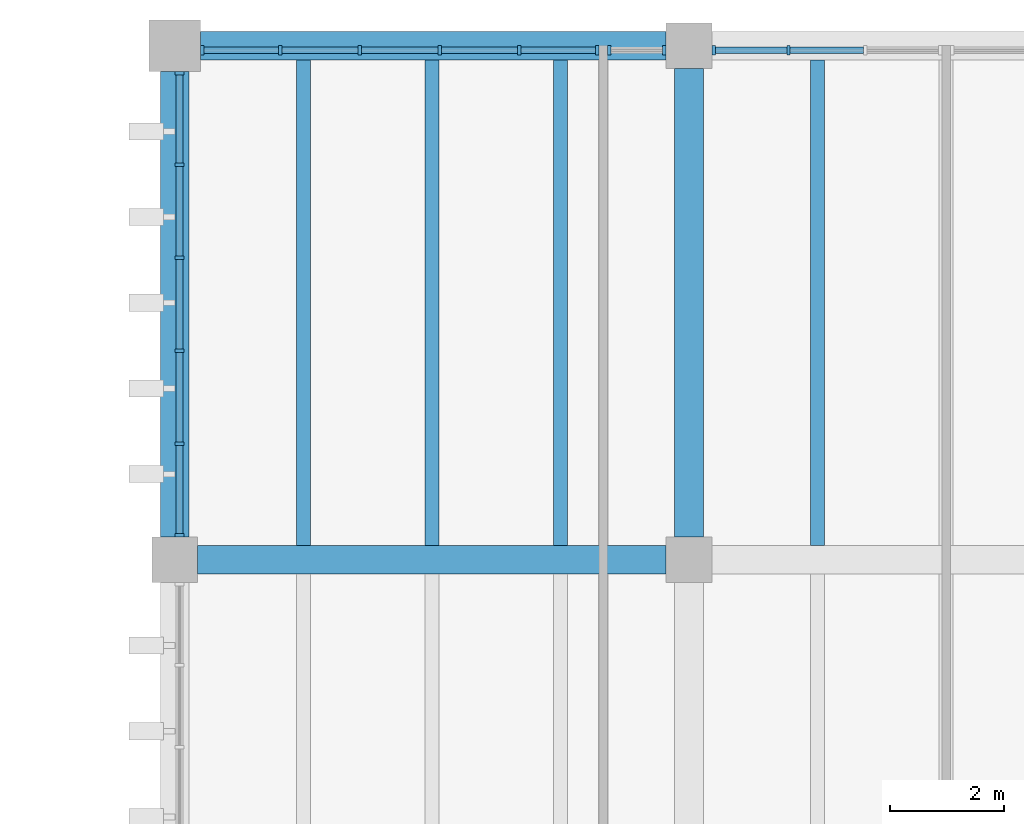
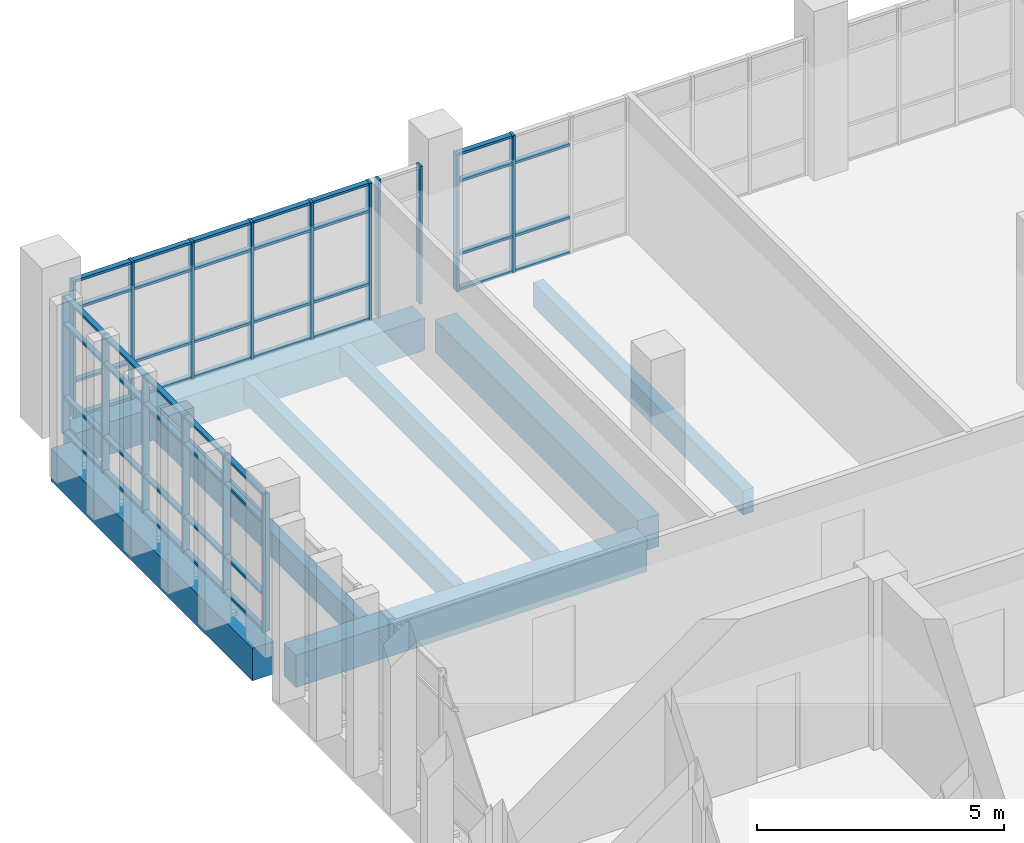
# One storey, part 9 of 29: 63 members, 8 beams, 4 elements without a shape of their own.
"""IFC4 building model written with IfcOpenShell, lengths in metres."""

from ifc_helpers import new_model, si_unit, direction, frame, origin, origin_2d, place, context, subcontext, project, spatial, rectangle, extrude, material, material_profile, profile_set, type_object, element, aggregate, save


model = new_model("IFC4")

# Units and contexts
model_context = context("Model", 3, precision=1e-05, world=origin(), true_north=direction((0.0, 1.0)))
body_context = subcontext(model_context, "Body", "Model", "MODEL_VIEW")
ifc_project = project(units=[si_unit("LENGTHUNIT", "METRE"), si_unit("AREAUNIT", "SQUARE_METRE"), si_unit("VOLUMEUNIT", "CUBIC_METRE"), si_unit("PLANEANGLEUNIT", "RADIAN"), si_unit("MASSUNIT", "GRAM", prefix="KILO")], contexts=[model_context])

# Site, building, storey
site_placement = place(None, origin())
site = spatial("IfcSite", under=ifc_project, at=site_placement, CompositionType="ELEMENT")
building_placement = place(site_placement, origin())
building = spatial("IfcBuilding", under=site, at=building_placement, Name="Merrow Basin Faculty of Sciences", CompositionType="ELEMENT")
storey_placement = place(building_placement, frame((0.0, 0.0, 22.5)))
storey = spatial("IfcBuildingStorey", under=building, at=storey_placement, Name="L05", CompositionType="ELEMENT", Elevation=22.5)

# Curtain wall, members
ifc_material_1 = material(Name="Aluminium alloy 6063", Category="aluminium")
curtain_wall_type = type_object("IfcCurtainWallType", Name="Unitised curtain wall 160", PredefinedType="NOTDEFINED", material=ifc_material_1)
curtain_wall_1_placement = place(storey_placement, origin())
curtain_wall_1 = element("IfcCurtainWall", 1, at=curtain_wall_1_placement, inside=storey, type_object=curtain_wall_type, Name="W curtain wall L05 3", PredefinedType="NOTDEFINED")
ifc_material_2 = material(Name="Aluminium alloy 6063", Category="aluminium")
ifc_material_profile_1 = material_profile(ifc_material_2, rectangle(XDim=0.159912109375, YDim=0.06005859375, at=origin_2d()))
ifc_profile_set_1 = profile_set([ifc_material_profile_1], Name="Aluminium alloy 6063")
member_type_1 = type_object("IfcMemberType", Name="Aluminium mullion 60x160", PredefinedType="MULLION", material=ifc_profile_set_1)
member_1_placement = place(storey_placement, frame((18.080078125, 160.429931640625, 0.0), z_axis=(0.0, 0.0, 1.0), x_axis=(-1.0, 0.0, 0.0)))
member_1 = element("IfcMember", 2, at=member_1_placement, type_object=member_type_1, Name="CW3 mullion 1", PredefinedType="MULLION", context=body_context, shape_type="SweptSolid", body=[
    extrude(rectangle(XDim=0.159912109375, YDim=0.06005859375, at=origin_2d()), origin(), (0.0, 0.0, 1.0), 3.39990234375),
])
member_2_placement = place(storey_placement, frame((18.080078125, 162.030029296875, 0.0), z_axis=(0.0, 0.0, 1.0), x_axis=(-1.0, 0.0, 0.0)))
member_2 = element("IfcMember", 3, at=member_2_placement, type_object=member_type_1, Name="CW3 mullion 2", PredefinedType="MULLION", context=body_context, shape_type="SweptSolid", body=[
    extrude(rectangle(XDim=0.159912109375, YDim=0.06005859375, at=origin_2d()), origin(), (0.0, 0.0, 1.0), 3.39990234375),
])
member_3_placement = place(storey_placement, frame((18.080078125, 163.659912109375, 0.0), z_axis=(0.0, 0.0, 1.0), x_axis=(-1.0, 0.0, 0.0)))
member_3 = element("IfcMember", 4, at=member_3_placement, type_object=member_type_1, Name="CW3 mullion 3", PredefinedType="MULLION", context=body_context, shape_type="SweptSolid", body=[
    extrude(rectangle(XDim=0.159912109375, YDim=0.06005859375, at=origin_2d()), origin(), (0.0, 0.0, 1.0), 3.39990234375),
])
member_4_placement = place(storey_placement, frame((18.080078125, 165.2900390625, 0.0), z_axis=(0.0, 0.0, 1.0), x_axis=(-1.0, 0.0, 0.0)))
member_4 = element("IfcMember", 5, at=member_4_placement, type_object=member_type_1, Name="CW3 mullion 4", PredefinedType="MULLION", context=body_context, shape_type="SweptSolid", body=[
    extrude(rectangle(XDim=0.159912109375, YDim=0.06005859375, at=origin_2d()), origin(), (0.0, 0.0, 1.0), 3.39990234375),
])
member_5_placement = place(storey_placement, frame((18.080078125, 166.919921875, 0.0), z_axis=(0.0, 0.0, 1.0), x_axis=(-1.0, 0.0, 0.0)))
member_5 = element("IfcMember", 6, at=member_5_placement, type_object=member_type_1, Name="CW3 mullion 5", PredefinedType="MULLION", context=body_context, shape_type="SweptSolid", body=[
    extrude(rectangle(XDim=0.159912109375, YDim=0.06005859375, at=origin_2d()), origin(), (0.0, 0.0, 1.0), 3.39990234375),
])
member_6_placement = place(storey_placement, frame((18.080078125, 168.52001953125, 0.0), z_axis=(0.0, 0.0, 1.0), x_axis=(-1.0, 0.0, 0.0)))
member_6 = element("IfcMember", 7, at=member_6_placement, type_object=member_type_1, Name="CW3 mullion 6", PredefinedType="MULLION", context=body_context, shape_type="SweptSolid", body=[
    extrude(rectangle(XDim=0.159912109375, YDim=0.06005859375, at=origin_2d()), origin(), (0.0, 0.0, 1.0), 3.39990234375),
])

curtain_wall_2_placement = place(storey_placement, origin())
curtain_wall_2 = element("IfcCurtainWall", 8, at=curtain_wall_2_placement, inside=storey, type_object=curtain_wall_type, Name="N curtain wall L05 1", PredefinedType="NOTDEFINED")
member_7_placement = place(storey_placement, frame((18.47998046875, 168.919921875, 0.0), z_axis=(0.0, 0.0, 1.0), x_axis=(0.0, 1.0, 0.0)))
member_7 = element("IfcMember", 9, at=member_7_placement, type_object=member_type_1, Name="CW3 mullion 1", PredefinedType="MULLION", context=body_context, shape_type="SweptSolid", body=[
    extrude(rectangle(XDim=0.159912109375, YDim=0.06005859375, at=origin_2d()), origin(), (0.0, 0.0, 1.0), 3.39990234375),
])
member_8_placement = place(storey_placement, frame((19.844970703125, 168.919921875, 0.0), z_axis=(0.0, 0.0, 1.0), x_axis=(0.0, 1.0, 0.0)))
member_8 = element("IfcMember", 10, at=member_8_placement, type_object=member_type_1, Name="CW3 mullion 2", PredefinedType="MULLION", context=body_context, shape_type="SweptSolid", body=[
    extrude(rectangle(XDim=0.159912109375, YDim=0.06005859375, at=origin_2d()), origin(), (0.0, 0.0, 1.0), 3.39990234375),
])
member_9_placement = place(storey_placement, frame((21.239990234375, 168.919921875, 0.0), z_axis=(0.0, 0.0, 1.0), x_axis=(0.0, 1.0, 0.0)))
member_9 = element("IfcMember", 11, at=member_9_placement, type_object=member_type_1, Name="CW3 mullion 3", PredefinedType="MULLION", context=body_context, shape_type="SweptSolid", body=[
    extrude(rectangle(XDim=0.159912109375, YDim=0.06005859375, at=origin_2d()), origin(), (0.0, 0.0, 1.0), 3.39990234375),
])
member_10_placement = place(storey_placement, frame((22.635009765625, 168.919921875, 0.0), z_axis=(0.0, 0.0, 1.0), x_axis=(0.0, 1.0, 0.0)))
member_10 = element("IfcMember", 12, at=member_10_placement, type_object=member_type_1, Name="CW3 mullion 4", PredefinedType="MULLION", context=body_context, shape_type="SweptSolid", body=[
    extrude(rectangle(XDim=0.159912109375, YDim=0.06005859375, at=origin_2d()), origin(), (0.0, 0.0, 1.0), 3.39990234375),
])
member_11_placement = place(storey_placement, frame((24.030029296875, 168.919921875, 0.0), z_axis=(0.0, 0.0, 1.0), x_axis=(0.0, 1.0, 0.0)))
member_11 = element("IfcMember", 13, at=member_11_placement, type_object=member_type_1, Name="CW3 mullion 5", PredefinedType="MULLION", context=body_context, shape_type="SweptSolid", body=[
    extrude(rectangle(XDim=0.159912109375, YDim=0.06005859375, at=origin_2d()), origin(), (0.0, 0.0, 1.0), 3.39990234375),
])
member_12_placement = place(storey_placement, frame((25.39501953125, 168.919921875, 0.0), z_axis=(0.0, 0.0, 1.0), x_axis=(0.0, 1.0, 0.0)))
member_12 = element("IfcMember", 14, at=member_12_placement, type_object=member_type_1, Name="CW3 mullion 6", PredefinedType="MULLION", context=body_context, shape_type="SweptSolid", body=[
    extrude(rectangle(XDim=0.159912109375, YDim=0.06005859375, at=origin_2d()), origin(), (0.0, 0.0, 1.0), 3.39990234375),
])

curtain_wall_3_placement = place(storey_placement, origin())
curtain_wall_3 = element("IfcCurtainWall", 15, at=curtain_wall_3_placement, inside=storey, type_object=curtain_wall_type, Name="N curtain wall L05 2", PredefinedType="NOTDEFINED")
member_13_placement = place(storey_placement, frame((25.60498046875, 168.919921875, 0.0), z_axis=(0.0, 0.0, 1.0), x_axis=(0.0, 1.0, 0.0)))
member_13 = element("IfcMember", 16, at=member_13_placement, type_object=member_type_1, Name="CW3 mullion 1", PredefinedType="MULLION", context=body_context, shape_type="SweptSolid", body=[
    extrude(rectangle(XDim=0.159912109375, YDim=0.06005859375, at=origin_2d()), origin(), (0.0, 0.0, 1.0), 3.39990234375),
])
member_14_placement = place(storey_placement, frame((26.570068359375, 168.919921875, 0.0), z_axis=(0.0, 0.0, 1.0), x_axis=(0.0, 1.0, 0.0)))
member_14 = element("IfcMember", 17, at=member_14_placement, type_object=member_type_1, Name="CW3 mullion 2", PredefinedType="MULLION", context=body_context, shape_type="SweptSolid", body=[
    extrude(rectangle(XDim=0.159912109375, YDim=0.06005859375, at=origin_2d()), origin(), (0.0, 0.0, 1.0), 3.39990234375),
])
aggregate(curtain_wall_3, [member_13, member_14])

curtain_wall_4_placement = place(storey_placement, origin())
curtain_wall_4 = element("IfcCurtainWall", 18, at=curtain_wall_4_placement, inside=storey, type_object=curtain_wall_type, Name="N curtain wall L05 3", PredefinedType="NOTDEFINED")
member_15_placement = place(storey_placement, frame((27.429931640625, 168.919921875, 0.0), z_axis=(0.0, 0.0, 1.0), x_axis=(0.0, 1.0, 0.0)))
member_15 = element("IfcMember", 19, at=member_15_placement, type_object=member_type_1, Name="CW3 mullion 1", PredefinedType="MULLION", context=body_context, shape_type="SweptSolid", body=[
    extrude(rectangle(XDim=0.159912109375, YDim=0.06005859375, at=origin_2d()), origin(), (0.0, 0.0, 1.0), 3.39990234375),
])
member_16_placement = place(storey_placement, frame((28.74169921875, 168.919921875, 0.0), z_axis=(0.0, 0.0, 1.0), x_axis=(0.0, 1.0, 0.0)))
member_16 = element("IfcMember", 20, at=member_16_placement, type_object=member_type_1, Name="CW3 mullion 2", PredefinedType="MULLION", context=body_context, shape_type="SweptSolid", body=[
    extrude(rectangle(XDim=0.159912109375, YDim=0.06005859375, at=origin_2d()), origin(), (0.0, 0.0, 1.0), 3.39990234375),
])

# Member
ifc_material_3 = material(Name="Aluminium alloy 6063", Category="aluminium")
ifc_material_profile_2 = material_profile(ifc_material_3, rectangle(XDim=0.1201171875, YDim=0.06005859375, at=origin_2d()))
ifc_profile_set_2 = profile_set([ifc_material_profile_2], Name="Aluminium alloy 6063")
member_type_2 = type_object("IfcMemberType", Name="Aluminium transom 60x120", PredefinedType="USERDEFINED", material=ifc_profile_set_2)
member_17_placement = place(storey_placement, frame((18.080078125, 160.4599609375, 0.030029296875), z_axis=(0.0, 1.0, 0.0), x_axis=(-1.0, 0.0, 0.0)))
member_17 = element("IfcMember", 21, at=member_17_placement, type_object=member_type_2, Name="CW3 transom 1.1", ObjectType="TRANSOM", PredefinedType="USERDEFINED", context=body_context, shape_type="SweptSolid", body=[
    extrude(rectangle(XDim=0.1201171875, YDim=0.06005859375, at=origin_2d()), origin(), (0.0, 0.0, 1.0), 1.5400390625),
])

member_18_placement = place(storey_placement, frame((18.080078125, 160.4599609375, 0.89990234375), z_axis=(0.0, 1.0, 0.0), x_axis=(-1.0, 0.0, 0.0)))
member_18 = element("IfcMember", 22, at=member_18_placement, type_object=member_type_2, Name="CW3 transom 1.2", ObjectType="TRANSOM", PredefinedType="USERDEFINED", context=body_context, shape_type="SweptSolid", body=[
    extrude(rectangle(XDim=0.1201171875, YDim=0.06005859375, at=origin_2d()), origin(), (0.0, 0.0, 1.0), 1.5400390625),
])

member_19_placement = place(storey_placement, frame((18.080078125, 160.4599609375, 2.699951171875), z_axis=(0.0, 1.0, 0.0), x_axis=(-1.0, 0.0, 0.0)))
member_19 = element("IfcMember", 23, at=member_19_placement, type_object=member_type_2, Name="CW3 transom 1.3", ObjectType="TRANSOM", PredefinedType="USERDEFINED", context=body_context, shape_type="SweptSolid", body=[
    extrude(rectangle(XDim=0.1201171875, YDim=0.06005859375, at=origin_2d()), origin(), (0.0, 0.0, 1.0), 1.5400390625),
])

member_20_placement = place(storey_placement, frame((18.080078125, 160.4599609375, 3.3701171875), z_axis=(0.0, 1.0, 0.0), x_axis=(-1.0, 0.0, 0.0)))
member_20 = element("IfcMember", 24, at=member_20_placement, type_object=member_type_2, Name="CW3 transom 1.4", ObjectType="TRANSOM", PredefinedType="USERDEFINED", context=body_context, shape_type="SweptSolid", body=[
    extrude(rectangle(XDim=0.1201171875, YDim=0.06005859375, at=origin_2d()), origin(), (0.0, 0.0, 1.0), 1.5400390625),
])

member_21_placement = place(storey_placement, frame((18.080078125, 162.06005859375, 0.030029296875), z_axis=(0.0, 1.0, 0.0), x_axis=(-1.0, 0.0, 0.0)))
member_21 = element("IfcMember", 25, at=member_21_placement, type_object=member_type_2, Name="CW3 transom 2.1", ObjectType="TRANSOM", PredefinedType="USERDEFINED", context=body_context, shape_type="SweptSolid", body=[
    extrude(rectangle(XDim=0.1201171875, YDim=0.06005859375, at=origin_2d()), origin(), (0.0, 0.0, 1.0), 1.56982421875),
])

member_22_placement = place(storey_placement, frame((18.080078125, 162.06005859375, 0.89990234375), z_axis=(0.0, 1.0, 0.0), x_axis=(-1.0, 0.0, 0.0)))
member_22 = element("IfcMember", 26, at=member_22_placement, type_object=member_type_2, Name="CW3 transom 2.2", ObjectType="TRANSOM", PredefinedType="USERDEFINED", context=body_context, shape_type="SweptSolid", body=[
    extrude(rectangle(XDim=0.1201171875, YDim=0.06005859375, at=origin_2d()), origin(), (0.0, 0.0, 1.0), 1.56982421875),
])

member_23_placement = place(storey_placement, frame((18.080078125, 162.06005859375, 2.699951171875), z_axis=(0.0, 1.0, 0.0), x_axis=(-1.0, 0.0, 0.0)))
member_23 = element("IfcMember", 27, at=member_23_placement, type_object=member_type_2, Name="CW3 transom 2.3", ObjectType="TRANSOM", PredefinedType="USERDEFINED", context=body_context, shape_type="SweptSolid", body=[
    extrude(rectangle(XDim=0.1201171875, YDim=0.06005859375, at=origin_2d()), origin(), (0.0, 0.0, 1.0), 1.56982421875),
])

member_24_placement = place(storey_placement, frame((18.080078125, 162.06005859375, 3.3701171875), z_axis=(0.0, 1.0, 0.0), x_axis=(-1.0, 0.0, 0.0)))
member_24 = element("IfcMember", 28, at=member_24_placement, type_object=member_type_2, Name="CW3 transom 2.4", ObjectType="TRANSOM", PredefinedType="USERDEFINED", context=body_context, shape_type="SweptSolid", body=[
    extrude(rectangle(XDim=0.1201171875, YDim=0.06005859375, at=origin_2d()), origin(), (0.0, 0.0, 1.0), 1.56982421875),
])

member_25_placement = place(storey_placement, frame((18.080078125, 163.68994140625, 0.030029296875), z_axis=(0.0, 1.0, 0.0), x_axis=(-1.0, 0.0, 0.0)))
member_25 = element("IfcMember", 29, at=member_25_placement, type_object=member_type_2, Name="CW3 transom 3.1", ObjectType="TRANSOM", PredefinedType="USERDEFINED", context=body_context, shape_type="SweptSolid", body=[
    extrude(rectangle(XDim=0.1201171875, YDim=0.06005859375, at=origin_2d()), origin(), (0.0, 0.0, 1.0), 1.570068359375),
])

member_26_placement = place(storey_placement, frame((18.080078125, 163.68994140625, 0.89990234375), z_axis=(0.0, 1.0, 0.0), x_axis=(-1.0, 0.0, 0.0)))
member_26 = element("IfcMember", 30, at=member_26_placement, type_object=member_type_2, Name="CW3 transom 3.2", ObjectType="TRANSOM", PredefinedType="USERDEFINED", context=body_context, shape_type="SweptSolid", body=[
    extrude(rectangle(XDim=0.1201171875, YDim=0.06005859375, at=origin_2d()), origin(), (0.0, 0.0, 1.0), 1.570068359375),
])

member_27_placement = place(storey_placement, frame((18.080078125, 163.68994140625, 2.699951171875), z_axis=(0.0, 1.0, 0.0), x_axis=(-1.0, 0.0, 0.0)))
member_27 = element("IfcMember", 31, at=member_27_placement, type_object=member_type_2, Name="CW3 transom 3.3", ObjectType="TRANSOM", PredefinedType="USERDEFINED", context=body_context, shape_type="SweptSolid", body=[
    extrude(rectangle(XDim=0.1201171875, YDim=0.06005859375, at=origin_2d()), origin(), (0.0, 0.0, 1.0), 1.570068359375),
])

member_28_placement = place(storey_placement, frame((18.080078125, 163.68994140625, 3.3701171875), z_axis=(0.0, 1.0, 0.0), x_axis=(-1.0, 0.0, 0.0)))
member_28 = element("IfcMember", 32, at=member_28_placement, type_object=member_type_2, Name="CW3 transom 3.4", ObjectType="TRANSOM", PredefinedType="USERDEFINED", context=body_context, shape_type="SweptSolid", body=[
    extrude(rectangle(XDim=0.1201171875, YDim=0.06005859375, at=origin_2d()), origin(), (0.0, 0.0, 1.0), 1.570068359375),
])

member_29_placement = place(storey_placement, frame((18.080078125, 165.320068359375, 0.030029296875), z_axis=(0.0, 1.0, 0.0), x_axis=(-1.0, 0.0, 0.0)))
member_29 = element("IfcMember", 33, at=member_29_placement, type_object=member_type_2, Name="CW3 transom 4.1", ObjectType="TRANSOM", PredefinedType="USERDEFINED", context=body_context, shape_type="SweptSolid", body=[
    extrude(rectangle(XDim=0.1201171875, YDim=0.06005859375, at=origin_2d()), origin(), (0.0, 0.0, 1.0), 1.56982421875),
])

member_30_placement = place(storey_placement, frame((18.080078125, 165.320068359375, 0.89990234375), z_axis=(0.0, 1.0, 0.0), x_axis=(-1.0, 0.0, 0.0)))
member_30 = element("IfcMember", 34, at=member_30_placement, type_object=member_type_2, Name="CW3 transom 4.2", ObjectType="TRANSOM", PredefinedType="USERDEFINED", context=body_context, shape_type="SweptSolid", body=[
    extrude(rectangle(XDim=0.1201171875, YDim=0.06005859375, at=origin_2d()), origin(), (0.0, 0.0, 1.0), 1.56982421875),
])

member_31_placement = place(storey_placement, frame((18.080078125, 165.320068359375, 2.699951171875), z_axis=(0.0, 1.0, 0.0), x_axis=(-1.0, 0.0, 0.0)))
member_31 = element("IfcMember", 35, at=member_31_placement, type_object=member_type_2, Name="CW3 transom 4.3", ObjectType="TRANSOM", PredefinedType="USERDEFINED", context=body_context, shape_type="SweptSolid", body=[
    extrude(rectangle(XDim=0.1201171875, YDim=0.06005859375, at=origin_2d()), origin(), (0.0, 0.0, 1.0), 1.56982421875),
])

member_32_placement = place(storey_placement, frame((18.080078125, 165.320068359375, 3.3701171875), z_axis=(0.0, 1.0, 0.0), x_axis=(-1.0, 0.0, 0.0)))
member_32 = element("IfcMember", 36, at=member_32_placement, type_object=member_type_2, Name="CW3 transom 4.4", ObjectType="TRANSOM", PredefinedType="USERDEFINED", context=body_context, shape_type="SweptSolid", body=[
    extrude(rectangle(XDim=0.1201171875, YDim=0.06005859375, at=origin_2d()), origin(), (0.0, 0.0, 1.0), 1.56982421875),
])

member_33_placement = place(storey_placement, frame((18.080078125, 166.949951171875, 0.030029296875), z_axis=(0.0, 1.0, 0.0), x_axis=(-1.0, 0.0, 0.0)))
member_33 = element("IfcMember", 37, at=member_33_placement, type_object=member_type_2, Name="CW3 transom 5.1", ObjectType="TRANSOM", PredefinedType="USERDEFINED", context=body_context, shape_type="SweptSolid", body=[
    extrude(rectangle(XDim=0.1201171875, YDim=0.06005859375, at=origin_2d()), origin(), (0.0, 0.0, 1.0), 1.5400390625),
])

member_34_placement = place(storey_placement, frame((18.080078125, 166.949951171875, 0.89990234375), z_axis=(0.0, 1.0, 0.0), x_axis=(-1.0, 0.0, 0.0)))
member_34 = element("IfcMember", 38, at=member_34_placement, type_object=member_type_2, Name="CW3 transom 5.2", ObjectType="TRANSOM", PredefinedType="USERDEFINED", context=body_context, shape_type="SweptSolid", body=[
    extrude(rectangle(XDim=0.1201171875, YDim=0.06005859375, at=origin_2d()), origin(), (0.0, 0.0, 1.0), 1.5400390625),
])

member_35_placement = place(storey_placement, frame((18.080078125, 166.949951171875, 2.699951171875), z_axis=(0.0, 1.0, 0.0), x_axis=(-1.0, 0.0, 0.0)))
member_35 = element("IfcMember", 39, at=member_35_placement, type_object=member_type_2, Name="CW3 transom 5.3", ObjectType="TRANSOM", PredefinedType="USERDEFINED", context=body_context, shape_type="SweptSolid", body=[
    extrude(rectangle(XDim=0.1201171875, YDim=0.06005859375, at=origin_2d()), origin(), (0.0, 0.0, 1.0), 1.5400390625),
])

member_36_placement = place(storey_placement, frame((18.080078125, 166.949951171875, 3.3701171875), z_axis=(0.0, 1.0, 0.0), x_axis=(-1.0, 0.0, 0.0)))
member_36 = element("IfcMember", 40, at=member_36_placement, type_object=member_type_2, Name="CW3 transom 5.4", ObjectType="TRANSOM", PredefinedType="USERDEFINED", context=body_context, shape_type="SweptSolid", body=[
    extrude(rectangle(XDim=0.1201171875, YDim=0.06005859375, at=origin_2d()), origin(), (0.0, 0.0, 1.0), 1.5400390625),
])

aggregate(curtain_wall_1, [member_1, member_2, member_3, member_4, member_5, member_6, member_17, member_18, member_19, member_20, member_21, member_22, member_23, member_24, member_25, member_26, member_27, member_28, member_29, member_30, member_31, member_32, member_33, member_34, member_35, member_36])

member_37_placement = place(storey_placement, frame((18.510009765625, 168.919921875, 0.030029296875), z_axis=(1.0, 0.0, 0.0), x_axis=(0.0, 1.0, 0.0)))
member_37 = element("IfcMember", 41, at=member_37_placement, type_object=member_type_2, Name="CW3 transom 1.1", ObjectType="TRANSOM", PredefinedType="USERDEFINED", context=body_context, shape_type="SweptSolid", body=[
    extrude(rectangle(XDim=0.1201171875, YDim=0.06005859375, at=origin_2d()), origin(), (0.0, 0.0, 1.0), 1.304931640625),
])

member_38_placement = place(storey_placement, frame((18.510009765625, 168.919921875, 0.89990234375), z_axis=(1.0, 0.0, 0.0), x_axis=(0.0, 1.0, 0.0)))
member_38 = element("IfcMember", 42, at=member_38_placement, type_object=member_type_2, Name="CW3 transom 1.2", ObjectType="TRANSOM", PredefinedType="USERDEFINED", context=body_context, shape_type="SweptSolid", body=[
    extrude(rectangle(XDim=0.1201171875, YDim=0.06005859375, at=origin_2d()), origin(), (0.0, 0.0, 1.0), 1.304931640625),
])

member_39_placement = place(storey_placement, frame((18.510009765625, 168.919921875, 2.699951171875), z_axis=(1.0, 0.0, 0.0), x_axis=(0.0, 1.0, 0.0)))
member_39 = element("IfcMember", 43, at=member_39_placement, type_object=member_type_2, Name="CW3 transom 1.3", ObjectType="TRANSOM", PredefinedType="USERDEFINED", context=body_context, shape_type="SweptSolid", body=[
    extrude(rectangle(XDim=0.1201171875, YDim=0.06005859375, at=origin_2d()), origin(), (0.0, 0.0, 1.0), 1.304931640625),
])

member_40_placement = place(storey_placement, frame((18.510009765625, 168.919921875, 3.3701171875), z_axis=(1.0, 0.0, 0.0), x_axis=(0.0, 1.0, 0.0)))
member_40 = element("IfcMember", 44, at=member_40_placement, type_object=member_type_2, Name="CW3 transom 1.4", ObjectType="TRANSOM", PredefinedType="USERDEFINED", context=body_context, shape_type="SweptSolid", body=[
    extrude(rectangle(XDim=0.1201171875, YDim=0.06005859375, at=origin_2d()), origin(), (0.0, 0.0, 1.0), 1.304931640625),
])

member_41_placement = place(storey_placement, frame((19.875, 168.919921875, 0.030029296875), z_axis=(1.0, 0.0, 0.0), x_axis=(0.0, 1.0, 0.0)))
member_41 = element("IfcMember", 45, at=member_41_placement, type_object=member_type_2, Name="CW3 transom 2.1", ObjectType="TRANSOM", PredefinedType="USERDEFINED", context=body_context, shape_type="SweptSolid", body=[
    extrude(rectangle(XDim=0.1201171875, YDim=0.06005859375, at=origin_2d()), origin(), (0.0, 0.0, 1.0), 1.3349609375),
])

member_42_placement = place(storey_placement, frame((19.875, 168.919921875, 0.89990234375), z_axis=(1.0, 0.0, 0.0), x_axis=(0.0, 1.0, 0.0)))
member_42 = element("IfcMember", 46, at=member_42_placement, type_object=member_type_2, Name="CW3 transom 2.2", ObjectType="TRANSOM", PredefinedType="USERDEFINED", context=body_context, shape_type="SweptSolid", body=[
    extrude(rectangle(XDim=0.1201171875, YDim=0.06005859375, at=origin_2d()), origin(), (0.0, 0.0, 1.0), 1.3349609375),
])

member_43_placement = place(storey_placement, frame((19.875, 168.919921875, 2.699951171875), z_axis=(1.0, 0.0, 0.0), x_axis=(0.0, 1.0, 0.0)))
member_43 = element("IfcMember", 47, at=member_43_placement, type_object=member_type_2, Name="CW3 transom 2.3", ObjectType="TRANSOM", PredefinedType="USERDEFINED", context=body_context, shape_type="SweptSolid", body=[
    extrude(rectangle(XDim=0.1201171875, YDim=0.06005859375, at=origin_2d()), origin(), (0.0, 0.0, 1.0), 1.3349609375),
])

member_44_placement = place(storey_placement, frame((19.875, 168.919921875, 3.3701171875), z_axis=(1.0, 0.0, 0.0), x_axis=(0.0, 1.0, 0.0)))
member_44 = element("IfcMember", 48, at=member_44_placement, type_object=member_type_2, Name="CW3 transom 2.4", ObjectType="TRANSOM", PredefinedType="USERDEFINED", context=body_context, shape_type="SweptSolid", body=[
    extrude(rectangle(XDim=0.1201171875, YDim=0.06005859375, at=origin_2d()), origin(), (0.0, 0.0, 1.0), 1.3349609375),
])

member_45_placement = place(storey_placement, frame((21.27001953125, 168.919921875, 0.030029296875), z_axis=(1.0, 0.0, 0.0), x_axis=(0.0, 1.0, 0.0)))
member_45 = element("IfcMember", 49, at=member_45_placement, type_object=member_type_2, Name="CW3 transom 3.1", ObjectType="TRANSOM", PredefinedType="USERDEFINED", context=body_context, shape_type="SweptSolid", body=[
    extrude(rectangle(XDim=0.1201171875, YDim=0.06005859375, at=origin_2d()), origin(), (0.0, 0.0, 1.0), 1.3349609375),
])

member_46_placement = place(storey_placement, frame((21.27001953125, 168.919921875, 0.89990234375), z_axis=(1.0, 0.0, 0.0), x_axis=(0.0, 1.0, 0.0)))
member_46 = element("IfcMember", 50, at=member_46_placement, type_object=member_type_2, Name="CW3 transom 3.2", ObjectType="TRANSOM", PredefinedType="USERDEFINED", context=body_context, shape_type="SweptSolid", body=[
    extrude(rectangle(XDim=0.1201171875, YDim=0.06005859375, at=origin_2d()), origin(), (0.0, 0.0, 1.0), 1.3349609375),
])

member_47_placement = place(storey_placement, frame((21.27001953125, 168.919921875, 2.699951171875), z_axis=(1.0, 0.0, 0.0), x_axis=(0.0, 1.0, 0.0)))
member_47 = element("IfcMember", 51, at=member_47_placement, type_object=member_type_2, Name="CW3 transom 3.3", ObjectType="TRANSOM", PredefinedType="USERDEFINED", context=body_context, shape_type="SweptSolid", body=[
    extrude(rectangle(XDim=0.1201171875, YDim=0.06005859375, at=origin_2d()), origin(), (0.0, 0.0, 1.0), 1.3349609375),
])

member_48_placement = place(storey_placement, frame((21.27001953125, 168.919921875, 3.3701171875), z_axis=(1.0, 0.0, 0.0), x_axis=(0.0, 1.0, 0.0)))
member_48 = element("IfcMember", 52, at=member_48_placement, type_object=member_type_2, Name="CW3 transom 3.4", ObjectType="TRANSOM", PredefinedType="USERDEFINED", context=body_context, shape_type="SweptSolid", body=[
    extrude(rectangle(XDim=0.1201171875, YDim=0.06005859375, at=origin_2d()), origin(), (0.0, 0.0, 1.0), 1.3349609375),
])

member_49_placement = place(storey_placement, frame((22.6650390625, 168.919921875, 0.030029296875), z_axis=(1.0, 0.0, 0.0), x_axis=(0.0, 1.0, 0.0)))
member_49 = element("IfcMember", 53, at=member_49_placement, type_object=member_type_2, Name="CW3 transom 4.1", ObjectType="TRANSOM", PredefinedType="USERDEFINED", context=body_context, shape_type="SweptSolid", body=[
    extrude(rectangle(XDim=0.1201171875, YDim=0.06005859375, at=origin_2d()), origin(), (0.0, 0.0, 1.0), 1.3349609375),
])

member_50_placement = place(storey_placement, frame((22.6650390625, 168.919921875, 0.89990234375), z_axis=(1.0, 0.0, 0.0), x_axis=(0.0, 1.0, 0.0)))
member_50 = element("IfcMember", 54, at=member_50_placement, type_object=member_type_2, Name="CW3 transom 4.2", ObjectType="TRANSOM", PredefinedType="USERDEFINED", context=body_context, shape_type="SweptSolid", body=[
    extrude(rectangle(XDim=0.1201171875, YDim=0.06005859375, at=origin_2d()), origin(), (0.0, 0.0, 1.0), 1.3349609375),
])

member_51_placement = place(storey_placement, frame((22.6650390625, 168.919921875, 2.699951171875), z_axis=(1.0, 0.0, 0.0), x_axis=(0.0, 1.0, 0.0)))
member_51 = element("IfcMember", 55, at=member_51_placement, type_object=member_type_2, Name="CW3 transom 4.3", ObjectType="TRANSOM", PredefinedType="USERDEFINED", context=body_context, shape_type="SweptSolid", body=[
    extrude(rectangle(XDim=0.1201171875, YDim=0.06005859375, at=origin_2d()), origin(), (0.0, 0.0, 1.0), 1.3349609375),
])

member_52_placement = place(storey_placement, frame((22.6650390625, 168.919921875, 3.3701171875), z_axis=(1.0, 0.0, 0.0), x_axis=(0.0, 1.0, 0.0)))
member_52 = element("IfcMember", 56, at=member_52_placement, type_object=member_type_2, Name="CW3 transom 4.4", ObjectType="TRANSOM", PredefinedType="USERDEFINED", context=body_context, shape_type="SweptSolid", body=[
    extrude(rectangle(XDim=0.1201171875, YDim=0.06005859375, at=origin_2d()), origin(), (0.0, 0.0, 1.0), 1.3349609375),
])

member_53_placement = place(storey_placement, frame((24.06005859375, 168.919921875, 0.030029296875), z_axis=(1.0, 0.0, 0.0), x_axis=(0.0, 1.0, 0.0)))
member_53 = element("IfcMember", 57, at=member_53_placement, type_object=member_type_2, Name="CW3 transom 5.1", ObjectType="TRANSOM", PredefinedType="USERDEFINED", context=body_context, shape_type="SweptSolid", body=[
    extrude(rectangle(XDim=0.1201171875, YDim=0.06005859375, at=origin_2d()), origin(), (0.0, 0.0, 1.0), 1.304931640625),
])

member_54_placement = place(storey_placement, frame((24.06005859375, 168.919921875, 0.89990234375), z_axis=(1.0, 0.0, 0.0), x_axis=(0.0, 1.0, 0.0)))
member_54 = element("IfcMember", 58, at=member_54_placement, type_object=member_type_2, Name="CW3 transom 5.2", ObjectType="TRANSOM", PredefinedType="USERDEFINED", context=body_context, shape_type="SweptSolid", body=[
    extrude(rectangle(XDim=0.1201171875, YDim=0.06005859375, at=origin_2d()), origin(), (0.0, 0.0, 1.0), 1.304931640625),
])

member_55_placement = place(storey_placement, frame((24.06005859375, 168.919921875, 2.699951171875), z_axis=(1.0, 0.0, 0.0), x_axis=(0.0, 1.0, 0.0)))
member_55 = element("IfcMember", 59, at=member_55_placement, type_object=member_type_2, Name="CW3 transom 5.3", ObjectType="TRANSOM", PredefinedType="USERDEFINED", context=body_context, shape_type="SweptSolid", body=[
    extrude(rectangle(XDim=0.1201171875, YDim=0.06005859375, at=origin_2d()), origin(), (0.0, 0.0, 1.0), 1.304931640625),
])

member_56_placement = place(storey_placement, frame((24.06005859375, 168.919921875, 3.3701171875), z_axis=(1.0, 0.0, 0.0), x_axis=(0.0, 1.0, 0.0)))
member_56 = element("IfcMember", 60, at=member_56_placement, type_object=member_type_2, Name="CW3 transom 5.4", ObjectType="TRANSOM", PredefinedType="USERDEFINED", context=body_context, shape_type="SweptSolid", body=[
    extrude(rectangle(XDim=0.1201171875, YDim=0.06005859375, at=origin_2d()), origin(), (0.0, 0.0, 1.0), 1.304931640625),
])

aggregate(curtain_wall_2, [member_7, member_8, member_9, member_10, member_11, member_12, member_37, member_38, member_39, member_40, member_41, member_42, member_43, member_44, member_45, member_46, member_47, member_48, member_49, member_50, member_51, member_52, member_53, member_54, member_55, member_56])

member_57_placement = place(storey_placement, frame((27.4599609375, 168.919921875, 0.030029296875), z_axis=(1.0, 0.0, 0.0), x_axis=(0.0, 1.0, 0.0)))
member_57 = element("IfcMember", 61, at=member_57_placement, type_object=member_type_2, Name="CW3 transom 1.1", ObjectType="TRANSOM", PredefinedType="USERDEFINED", context=body_context, shape_type="SweptSolid", body=[
    extrude(rectangle(XDim=0.1201171875, YDim=0.06005859375, at=origin_2d()), origin(), (0.0, 0.0, 1.0), 1.251708984375),
])

member_58_placement = place(storey_placement, frame((27.4599609375, 168.919921875, 0.89990234375), z_axis=(1.0, 0.0, 0.0), x_axis=(0.0, 1.0, 0.0)))
member_58 = element("IfcMember", 62, at=member_58_placement, type_object=member_type_2, Name="CW3 transom 1.2", ObjectType="TRANSOM", PredefinedType="USERDEFINED", context=body_context, shape_type="SweptSolid", body=[
    extrude(rectangle(XDim=0.1201171875, YDim=0.06005859375, at=origin_2d()), origin(), (0.0, 0.0, 1.0), 1.251708984375),
])

member_59_placement = place(storey_placement, frame((27.4599609375, 168.919921875, 2.699951171875), z_axis=(1.0, 0.0, 0.0), x_axis=(0.0, 1.0, 0.0)))
member_59 = element("IfcMember", 63, at=member_59_placement, type_object=member_type_2, Name="CW3 transom 1.3", ObjectType="TRANSOM", PredefinedType="USERDEFINED", context=body_context, shape_type="SweptSolid", body=[
    extrude(rectangle(XDim=0.1201171875, YDim=0.06005859375, at=origin_2d()), origin(), (0.0, 0.0, 1.0), 1.251708984375),
])

member_60_placement = place(storey_placement, frame((27.4599609375, 168.919921875, 3.3701171875), z_axis=(1.0, 0.0, 0.0), x_axis=(0.0, 1.0, 0.0)))
member_60 = element("IfcMember", 64, at=member_60_placement, type_object=member_type_2, Name="CW3 transom 1.4", ObjectType="TRANSOM", PredefinedType="USERDEFINED", context=body_context, shape_type="SweptSolid", body=[
    extrude(rectangle(XDim=0.1201171875, YDim=0.06005859375, at=origin_2d()), origin(), (0.0, 0.0, 1.0), 1.251708984375),
])

member_61_placement = place(storey_placement, frame((28.771728515625, 168.919921875, 0.030029296875), z_axis=(1.0, 0.0, 0.0), x_axis=(0.0, 1.0, 0.0)))
member_61 = element("IfcMember", 65, at=member_61_placement, type_object=member_type_2, Name="CW3 transom 2.1", ObjectType="TRANSOM", PredefinedType="USERDEFINED", context=body_context, shape_type="SweptSolid", body=[
    extrude(rectangle(XDim=0.1201171875, YDim=0.06005859375, at=origin_2d()), origin(), (0.0, 0.0, 1.0), 1.281494140625),
])

member_62_placement = place(storey_placement, frame((28.771728515625, 168.919921875, 0.89990234375), z_axis=(1.0, 0.0, 0.0), x_axis=(0.0, 1.0, 0.0)))
member_62 = element("IfcMember", 66, at=member_62_placement, type_object=member_type_2, Name="CW3 transom 2.2", ObjectType="TRANSOM", PredefinedType="USERDEFINED", context=body_context, shape_type="SweptSolid", body=[
    extrude(rectangle(XDim=0.1201171875, YDim=0.06005859375, at=origin_2d()), origin(), (0.0, 0.0, 1.0), 1.281494140625),
])

member_63_placement = place(storey_placement, frame((28.771728515625, 168.919921875, 2.699951171875), z_axis=(1.0, 0.0, 0.0), x_axis=(0.0, 1.0, 0.0)))
member_63 = element("IfcMember", 67, at=member_63_placement, type_object=member_type_2, Name="CW3 transom 2.3", ObjectType="TRANSOM", PredefinedType="USERDEFINED", context=body_context, shape_type="SweptSolid", body=[
    extrude(rectangle(XDim=0.1201171875, YDim=0.06005859375, at=origin_2d()), origin(), (0.0, 0.0, 1.0), 1.281494140625),
])

aggregate(curtain_wall_4, [member_15, member_16, member_57, member_58, member_59, member_60, member_61, member_62, member_63])

# Beams
ifc_material_4 = material(Name="Concrete C40/50", Category="concrete")
ifc_material_profile_3 = material_profile(ifc_material_4, rectangle(XDim=0.5, YDim=0.800048828125, at=origin_2d()))
ifc_profile_set_3 = profile_set([ifc_material_profile_3], Name="Concrete C40/50")
beam_type_1 = type_object("IfcBeamType", Name="Beam RC500x800 C40/50", PredefinedType="BEAM", material=ifc_profile_set_3)
beam_1_placement = place(storey_placement, frame((18.39990234375, 160.0, -0.699951171875), z_axis=(1.0, 0.0, 0.0), x_axis=(0.0, 1.0, 0.0)))
element("IfcBeam", 68, at=beam_1_placement, inside=storey, type_object=beam_type_1, Name="B4 L05 006", PredefinedType="BEAM", context=body_context, shape_type="SweptSolid", body=[
    extrude(rectangle(XDim=0.5, YDim=0.800048828125, at=origin_2d()), origin(), (0.0, 0.0, 1.0), 8.2001953125),
])
for number, where, z_axis, x_axis, name in (
    (69, (18.449951171875, 169.0, -0.699951171875), (1.0, 0.0, 0.0), (0.0, 1.0, 0.0), "B4 L05 009"),
    (70, (18.0, 160.39990234375, -0.699951171875), (0.0, 1.0, 0.0), (-1.0, 0.0, 0.0), "B4 L05 014"),
):
    element("IfcBeam", number, at=place(storey_placement, frame(where, z_axis=z_axis, x_axis=x_axis)), inside=storey, type_object=beam_type_1, Name=name, PredefinedType="BEAM", context=body_context, shape_type="SweptSolid", body=[
        extrude(rectangle(XDim=0.5, YDim=0.800048828125, at=origin_2d()), origin(), (0.0, 0.0, 1.0), 8.150146484375),
    ])
beam_2_placement = place(storey_placement, frame((27.0, 160.39990234375, -0.699951171875), z_axis=(0.0, 1.0, 0.0), x_axis=(-1.0, 0.0, 0.0)))
element("IfcBeam", 71, at=beam_2_placement, inside=storey, type_object=beam_type_1, Name="B4 L05 016", PredefinedType="BEAM", context=body_context, shape_type="SweptSolid", body=[
    extrude(rectangle(XDim=0.5, YDim=0.800048828125, at=origin_2d()), origin(), (0.0, 0.0, 1.0), 8.2001953125),
])
ifc_material_5 = material(Name="Concrete C40/50", Category="concrete")
ifc_material_profile_4 = material_profile(ifc_material_5, rectangle(XDim=0.25, YDim=0.60009765625, at=origin_2d()))
ifc_profile_set_4 = profile_set([ifc_material_profile_4], Name="Concrete C40/50")
beam_type_2 = type_object("IfcBeamType", Name="Tower floor joist RC250x600 C40/50", PredefinedType="BEAM", material=ifc_profile_set_4)
for number, where, z_axis, x_axis, name in (
    (72, (20.25, 160.25, -0.60009765625), (0.0, 1.0, 0.0), (-1.0, 0.0, 0.0), "JT1 L05 029"),
    (73, (22.5, 160.25, -0.60009765625), (0.0, 1.0, 0.0), (-1.0, 0.0, 0.0), "JT1 L05 030"),
    (74, (24.75, 160.25, -0.60009765625), (0.0, 1.0, 0.0), (-1.0, 0.0, 0.0), "JT1 L05 031"),
    (75, (29.25, 160.25, -0.60009765625), (0.0, 1.0, 0.0), (-1.0, 0.0, 0.0), "JT1 L05 038"),
):
    element("IfcBeam", number, at=place(storey_placement, frame(where, z_axis=z_axis, x_axis=x_axis)), inside=storey, type_object=beam_type_2, Name=name, PredefinedType="BEAM", context=body_context, shape_type="SweptSolid", body=[
        extrude(rectangle(XDim=0.25, YDim=0.60009765625, at=origin_2d()), origin(), (0.0, 0.0, 1.0), 8.5),
    ])

save(model, "model.ifc")
